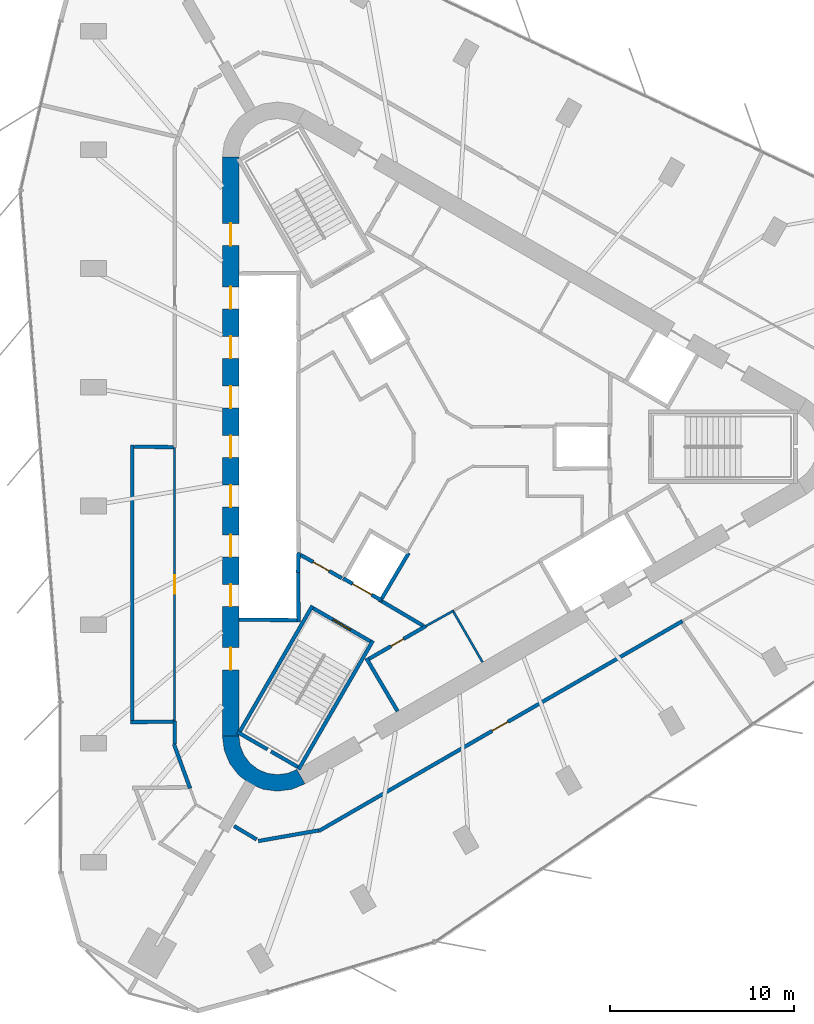
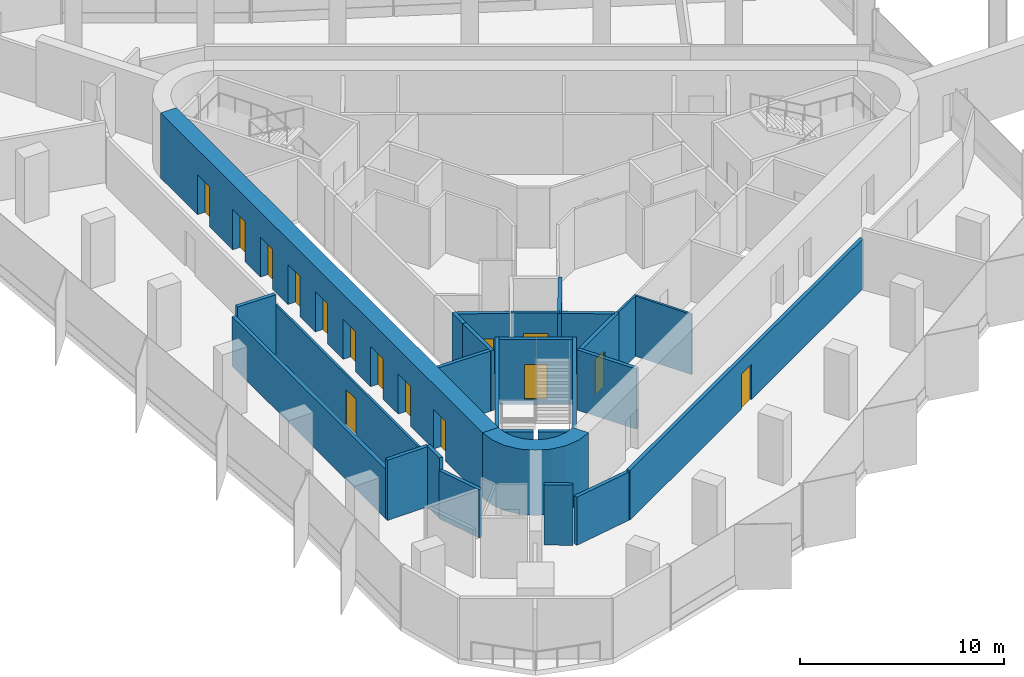
# One storey, part 7 of 12: 27 walls, 15 doors, 15 openings.
"""IFC4 building model written with IfcOpenShell, lengths in metres."""

from ifc_helpers import new_model, si_unit, direction, frame, frame_2d, origin, place, context, subcontext, project, spatial, polyline, rectangle, outline, extrude, material, layer, layer_set, type_object, element, fill, save


model = new_model("IFC4")

# Units and contexts
model_context = context("Model", 3, precision=1e-05, world=origin(), true_north=direction((0.0, 1.0)))
body_context = subcontext(model_context, "Body", "Model", "MODEL_VIEW")
ifc_project = project(units=[si_unit("LENGTHUNIT", "METRE"), si_unit("AREAUNIT", "SQUARE_METRE"), si_unit("VOLUMEUNIT", "CUBIC_METRE"), si_unit("PLANEANGLEUNIT", "RADIAN"), si_unit("MASSUNIT", "GRAM", prefix="KILO")], contexts=[model_context])

# Site, building, storey
site_placement = place(None, origin())
site = spatial("IfcSite", under=ifc_project, at=site_placement, CompositionType="ELEMENT")
building_placement = place(site_placement, origin())
building = spatial("IfcBuilding", under=site, at=building_placement, Name="Tanit Gate Tower", CompositionType="ELEMENT")
storey_placement = place(building_placement, frame((0.0, 0.0, 368.89990234375)))
storey = spatial("IfcBuildingStorey", under=building, at=storey_placement, Name="L84", CompositionType="ELEMENT", Elevation=368.89990234375)

# Wall, openings, doors
ifc_material_1 = material(Name="Concrete C40/50", Category="concrete")
ifc_layer_1 = layer(ifc_material_1, 0.89990234375)
ifc_layer_set_1 = layer_set([ifc_layer_1], Name="CORE WALL 900 C40/50")
wall_type_1 = type_object("IfcWallType", Name="CORE WALL 900 C40/50", PredefinedType="SHEAR", material=ifc_layer_set_1)
wall_1_placement = place(storey_placement, frame((-11.64990234375, 15.76171875, 0.0), z_axis=(0.0, 0.0, 1.0), x_axis=(0.0, -1.0, 0.0)))
wall_1 = element("IfcWall", 1, at=wall_1_placement, inside=storey, type_object=wall_type_1, Name="CORE WALL", PredefinedType="SHEAR", context=body_context, shape_type="SweptSolid", body=[
    extrude(rectangle(XDim=31.5234375, YDim=0.89990234375, at=frame_2d((15.76171875, 0.0))), origin(), (0.0, 0.0, 1.0), 3.900146484375),
])
opening_1_placement = place(wall_1_placement, frame((7.061767578125, 0.0, 0.0)))
opening_1 = element("IfcOpeningElement", 2, at=opening_1_placement, cuts=wall_1, Name="Opening LDHL1-84", PredefinedType="OPENING", context=body_context, shape_type="SweptSolid", body=[
    extrude(rectangle(XDim=1.199951171875, YDim=2.39990234375, at=frame_2d((0.60009765625, 1.199951171875))), frame((0.0, 0.4599609375, 0.0), z_axis=(0.0, -1.0, 0.0), x_axis=(1.0, 0.0, 0.0)), (0.0, 0.0, 1.0), 0.919921875),
])
opening_2_placement = place(wall_1_placement, frame((9.76171875, 0.0, 0.0)))
opening_2 = element("IfcOpeningElement", 3, at=opening_2_placement, cuts=wall_1, Name="Opening LDHL2-84", PredefinedType="OPENING", context=body_context, shape_type="SweptSolid", body=[
    extrude(rectangle(XDim=1.199951171875, YDim=2.39990234375, at=frame_2d((0.60009765625, 1.199951171875))), frame((0.0, 0.4599609375, 0.0), z_axis=(0.0, -1.0, 0.0), x_axis=(1.0, 0.0, 0.0)), (0.0, 0.0, 1.0), 0.919921875),
])
opening_3_placement = place(wall_1_placement, frame((12.461669921875, 0.0, 0.0)))
opening_3 = element("IfcOpeningElement", 4, at=opening_3_placement, cuts=wall_1, Name="Opening LDHL3-84", PredefinedType="OPENING", context=body_context, shape_type="SweptSolid", body=[
    extrude(rectangle(XDim=1.199951171875, YDim=2.39990234375, at=frame_2d((0.60009765625, 1.199951171875))), frame((0.0, 0.4599609375, 0.0), z_axis=(0.0, -1.0, 0.0), x_axis=(1.0, 0.0, 0.0)), (0.0, 0.0, 1.0), 0.919921875),
])
opening_4_placement = place(wall_1_placement, frame((15.16162109375, 0.0, 0.0)))
opening_4 = element("IfcOpeningElement", 5, at=opening_4_placement, cuts=wall_1, Name="Opening LDHL4-84", PredefinedType="OPENING", context=body_context, shape_type="SweptSolid", body=[
    extrude(rectangle(XDim=1.199951171875, YDim=2.39990234375, at=frame_2d((0.60009765625, 1.199951171875))), frame((0.0, 0.4599609375, 0.0), z_axis=(0.0, -1.0, 0.0), x_axis=(1.0, 0.0, 0.0)), (0.0, 0.0, 1.0), 0.919921875),
])
opening_5_placement = place(wall_1_placement, frame((17.86181640625, 0.0, 0.0)))
opening_5 = element("IfcOpeningElement", 6, at=opening_5_placement, cuts=wall_1, Name="Opening LDHL5-84", PredefinedType="OPENING", context=body_context, shape_type="SweptSolid", body=[
    extrude(rectangle(XDim=1.199951171875, YDim=2.39990234375, at=frame_2d((0.60009765625, 1.199951171875))), frame((0.0, 0.4599609375, 0.0), z_axis=(0.0, -1.0, 0.0), x_axis=(1.0, 0.0, 0.0)), (0.0, 0.0, 1.0), 0.919921875),
])
opening_6_placement = place(wall_1_placement, frame((20.561767578125, 0.0, 0.0)))
opening_6 = element("IfcOpeningElement", 7, at=opening_6_placement, cuts=wall_1, Name="Opening LDHL6-84", PredefinedType="OPENING", context=body_context, shape_type="SweptSolid", body=[
    extrude(rectangle(XDim=1.199951171875, YDim=2.39990234375, at=frame_2d((0.60009765625, 1.199951171875))), frame((0.0, 0.4599609375, 0.0), z_axis=(0.0, -1.0, 0.0), x_axis=(1.0, 0.0, 0.0)), (0.0, 0.0, 1.0), 0.919921875),
])
opening_7_placement = place(wall_1_placement, frame((23.26171875, 0.0, 0.0)))
opening_7 = element("IfcOpeningElement", 8, at=opening_7_placement, cuts=wall_1, Name="Opening LDHL7-84", PredefinedType="OPENING", context=body_context, shape_type="SweptSolid", body=[
    extrude(rectangle(XDim=1.199951171875, YDim=2.39990234375, at=frame_2d((0.60009765625, 1.199951171875))), frame((0.0, 0.4599609375, 0.0), z_axis=(0.0, -1.0, 0.0), x_axis=(1.0, 0.0, 0.0)), (0.0, 0.0, 1.0), 0.919921875),
])
opening_8_placement = place(wall_1_placement, frame((3.61181640625, 0.0, 0.0)))
opening_8 = element("IfcOpeningElement", 9, at=opening_8_placement, cuts=wall_1, Name="Opening F12-84-FL2", PredefinedType="OPENING", context=body_context, shape_type="SweptSolid", body=[
    extrude(rectangle(XDim=1.199951171875, YDim=2.39990234375, at=frame_2d((0.60009765625, 1.199951171875))), frame((0.0, 0.4599609375, 0.0), z_axis=(0.0, -1.0, 0.0), x_axis=(1.0, 0.0, 0.0)), (0.0, 0.0, 1.0), 0.919921875),
])
opening_9_placement = place(wall_1_placement, frame((26.711669921875, 0.0, 0.0)))
opening_9 = element("IfcOpeningElement", 10, at=opening_9_placement, cuts=wall_1, Name="Opening F12-84-S3", PredefinedType="OPENING", context=body_context, shape_type="SweptSolid", body=[
    extrude(rectangle(XDim=1.199951171875, YDim=2.39990234375, at=frame_2d((0.60009765625, 1.199951171875))), frame((0.0, 0.4599609375, 0.0), z_axis=(0.0, -1.0, 0.0), x_axis=(1.0, 0.0, 0.0)), (0.0, 0.0, 1.0), 0.919921875),
])
ifc_material_2 = material(Name="Fire-rated steel door leaf", Category="steel")
door_type_1 = type_object("IfcDoorType", Name="INT-DOOR-FIRE-LOBBY-1200", OperationType="NOTDEFINED", PredefinedType="USERDEFINED", material=ifc_material_2)
door_1_placement = place(opening_8_placement, origin())
door_1 = element("IfcDoor", 11, at=door_1_placement, inside=storey, type_object=door_type_1, Name="Door F12-84-FL2", ObjectType="FIRE DOOR", OperationType="SINGLE_SWING_RIGHT", OverallHeight=2.39990234375, OverallWidth=1.199951171875, PredefinedType="USERDEFINED", context=body_context, shape_type="SweptSolid", body=[
    extrude(rectangle(XDim=1.199951171875, YDim=2.39990234375, at=frame_2d((0.60009765625, 1.199951171875))), frame((0.0, 0.02490234375, 0.0), z_axis=(0.0, -1.0, 0.0), x_axis=(1.0, 0.0, 0.0)), (0.0, 0.0, 1.0), 0.050048828125),
])
fill(opening_8, door_1)
door_2_placement = place(opening_9_placement, origin())
door_2 = element("IfcDoor", 12, at=door_2_placement, inside=storey, type_object=door_type_1, Name="Door F12-84-S3", ObjectType="FIRE DOOR", OperationType="SINGLE_SWING_LEFT", OverallHeight=2.39990234375, OverallWidth=1.199951171875, PredefinedType="USERDEFINED", context=body_context, shape_type="SweptSolid", body=[
    extrude(rectangle(XDim=1.199951171875, YDim=2.39990234375, at=frame_2d((0.60009765625, 1.199951171875))), frame((0.0, 0.02490234375, 0.0), z_axis=(0.0, -1.0, 0.0), x_axis=(1.0, 0.0, 0.0)), (0.0, 0.0, 1.0), 0.050048828125),
])
fill(opening_9, door_2)
ifc_material_3 = material(Name="Stainless steel sliding door leaf", Category="steel")
door_type_2 = type_object("IfcDoorType", Name="INT-DOOR-LANDING-1200", OperationType="NOTDEFINED", PredefinedType="USERDEFINED", material=ifc_material_3)
door_3_placement = place(opening_1_placement, origin())
door_3 = element("IfcDoor", 13, at=door_3_placement, inside=storey, type_object=door_type_2, Name="Door LDHL1-84", ObjectType="LANDING DOOR", OperationType="SLIDING_TO_LEFT", OverallHeight=2.39990234375, OverallWidth=1.199951171875, PredefinedType="USERDEFINED", context=body_context, shape_type="SweptSolid", body=[
    extrude(rectangle(XDim=1.199951171875, YDim=2.39990234375, at=frame_2d((0.60009765625, 1.199951171875))), frame((0.0, 0.02490234375, 0.0), z_axis=(0.0, -1.0, 0.0), x_axis=(1.0, 0.0, 0.0)), (0.0, 0.0, 1.0), 0.050048828125),
])
fill(opening_1, door_3)
door_4_placement = place(opening_2_placement, origin())
door_4 = element("IfcDoor", 14, at=door_4_placement, inside=storey, type_object=door_type_2, Name="Door LDHL2-84", ObjectType="LANDING DOOR", OperationType="SLIDING_TO_LEFT", OverallHeight=2.39990234375, OverallWidth=1.199951171875, PredefinedType="USERDEFINED", context=body_context, shape_type="SweptSolid", body=[
    extrude(rectangle(XDim=1.199951171875, YDim=2.39990234375, at=frame_2d((0.60009765625, 1.199951171875))), frame((0.0, 0.02490234375, 0.0), z_axis=(0.0, -1.0, 0.0), x_axis=(1.0, 0.0, 0.0)), (0.0, 0.0, 1.0), 0.050048828125),
])
fill(opening_2, door_4)
door_5_placement = place(opening_3_placement, origin())
door_5 = element("IfcDoor", 15, at=door_5_placement, inside=storey, type_object=door_type_2, Name="Door LDHL3-84", ObjectType="LANDING DOOR", OperationType="SLIDING_TO_LEFT", OverallHeight=2.39990234375, OverallWidth=1.199951171875, PredefinedType="USERDEFINED", context=body_context, shape_type="SweptSolid", body=[
    extrude(rectangle(XDim=1.199951171875, YDim=2.39990234375, at=frame_2d((0.60009765625, 1.199951171875))), frame((0.0, 0.02490234375, 0.0), z_axis=(0.0, -1.0, 0.0), x_axis=(1.0, 0.0, 0.0)), (0.0, 0.0, 1.0), 0.050048828125),
])
fill(opening_3, door_5)
door_6_placement = place(opening_4_placement, origin())
door_6 = element("IfcDoor", 16, at=door_6_placement, inside=storey, type_object=door_type_2, Name="Door LDHL4-84", ObjectType="LANDING DOOR", OperationType="SLIDING_TO_LEFT", OverallHeight=2.39990234375, OverallWidth=1.199951171875, PredefinedType="USERDEFINED", context=body_context, shape_type="SweptSolid", body=[
    extrude(rectangle(XDim=1.199951171875, YDim=2.39990234375, at=frame_2d((0.60009765625, 1.199951171875))), frame((0.0, 0.02490234375, 0.0), z_axis=(0.0, -1.0, 0.0), x_axis=(1.0, 0.0, 0.0)), (0.0, 0.0, 1.0), 0.050048828125),
])
fill(opening_4, door_6)
door_7_placement = place(opening_5_placement, origin())
door_7 = element("IfcDoor", 17, at=door_7_placement, inside=storey, type_object=door_type_2, Name="Door LDHL5-84", ObjectType="LANDING DOOR", OperationType="SLIDING_TO_LEFT", OverallHeight=2.39990234375, OverallWidth=1.199951171875, PredefinedType="USERDEFINED", context=body_context, shape_type="SweptSolid", body=[
    extrude(rectangle(XDim=1.199951171875, YDim=2.39990234375, at=frame_2d((0.60009765625, 1.199951171875))), frame((0.0, 0.02490234375, 0.0), z_axis=(0.0, -1.0, 0.0), x_axis=(1.0, 0.0, 0.0)), (0.0, 0.0, 1.0), 0.050048828125),
])
fill(opening_5, door_7)
door_8_placement = place(opening_6_placement, origin())
door_8 = element("IfcDoor", 18, at=door_8_placement, inside=storey, type_object=door_type_2, Name="Door LDHL6-84", ObjectType="LANDING DOOR", OperationType="SLIDING_TO_LEFT", OverallHeight=2.39990234375, OverallWidth=1.199951171875, PredefinedType="USERDEFINED", context=body_context, shape_type="SweptSolid", body=[
    extrude(rectangle(XDim=1.199951171875, YDim=2.39990234375, at=frame_2d((0.60009765625, 1.199951171875))), frame((0.0, 0.02490234375, 0.0), z_axis=(0.0, -1.0, 0.0), x_axis=(1.0, 0.0, 0.0)), (0.0, 0.0, 1.0), 0.050048828125),
])
fill(opening_6, door_8)
door_9_placement = place(opening_7_placement, origin())
door_9 = element("IfcDoor", 19, at=door_9_placement, inside=storey, type_object=door_type_2, Name="Door LDHL7-84", ObjectType="LANDING DOOR", OperationType="SLIDING_TO_LEFT", OverallHeight=2.39990234375, OverallWidth=1.199951171875, PredefinedType="USERDEFINED", context=body_context, shape_type="SweptSolid", body=[
    extrude(rectangle(XDim=1.199951171875, YDim=2.39990234375, at=frame_2d((0.60009765625, 1.199951171875))), frame((0.0, 0.02490234375, 0.0), z_axis=(0.0, -1.0, 0.0), x_axis=(1.0, 0.0, 0.0)), (0.0, 0.0, 1.0), 0.050048828125),
])
fill(opening_7, door_9)

# Walls
wall_2_placement = place(storey_placement, origin())
element("IfcWall", 20, at=wall_2_placement, inside=storey, type_object=wall_type_1, Name="CORE WALL CORNER", PredefinedType="SHEAR", context=body_context, shape_type="SweptSolid", body=[
    extrude(outline(polyline([(-12.10009765625, -15.76171875), (-11.997802734375, -16.5380859375), (-11.697998046875, -17.26171875), (-11.22119140625, -17.883056640625), (-10.60009765625, -18.359619140625), (-9.87646484375, -18.659423828125), (-9.10009765625, -18.76171875), (-8.323486328125, -18.659423828125), (-7.60009765625, -18.359619140625), (-8.050048828125, -17.580322265625), (-8.556396484375, -17.7900390625), (-9.10009765625, -17.86181640625), (-9.6435546875, -17.7900390625), (-10.14990234375, -17.580322265625), (-10.5849609375, -17.24658203125), (-10.918701171875, -16.811767578125), (-11.12841796875, -16.30517578125), (-11.199951171875, -15.76171875), (-12.10009765625, -15.76171875)])), origin(), (0.0, 0.0, 1.0), 3.900146484375),
])
ifc_material_4 = material(Name="Fire-rated gypsum board partition")
ifc_layer_2 = layer(ifc_material_4, 0.199951171875)
ifc_layer_set_2 = layer_set([ifc_layer_2], Name="INT-WALL-COMPARTMENT")
wall_type_2 = type_object("IfcWallType", Name="INT-WALL-COMPARTMENT", PredefinedType="PARTITIONING", material=ifc_layer_set_2)
wall_3_placement = place(storey_placement, frame((-4.259765625, -11.523681640625, 0.0), z_axis=(0.0, 0.0, 1.0), x_axis=(0.507997497166, -0.861358544901, 0.0)))
element("IfcWall", 21, at=wall_3_placement, inside=storey, type_object=wall_type_2, Name="Wall Compartment W056", PredefinedType="PARTITIONING", context=body_context, shape_type="SweptSolid", body=[
    extrude(rectangle(XDim=3.350341796875, YDim=0.199951171875, at=frame_2d((1.67529296875, 0.0))), origin(), (0.0, 0.0, 1.0), 3.60009765625),
])

# Wall, opening, door
wall_4_placement = place(storey_placement, frame((-1.02392578125, -9.77099609375, 0.0), z_axis=(0.0, 0.0, 1.0), x_axis=(-0.866029903013, -0.499992207027, 0.0)))
wall_4 = element("IfcWall", 22, at=wall_4_placement, inside=storey, type_object=wall_type_2, Name="Wall Compartment W057", PredefinedType="PARTITIONING", context=body_context, shape_type="SweptSolid", body=[
    extrude(rectangle(XDim=3.57763671875, YDim=0.199951171875, at=frame_2d((1.788818359375, 0.0))), origin(), (0.0, 0.0, 1.0), 3.60009765625),
])
opening_10_placement = place(wall_4_placement, frame((1.388916015625, 0.0, 0.0)))
opening_10 = element("IfcOpeningElement", 23, at=opening_10_placement, cuts=wall_4, Name="Opening R08-84-16", PredefinedType="OPENING", context=body_context, shape_type="SweptSolid", body=[
    extrude(rectangle(XDim=0.800048828125, YDim=2.10009765625, at=frame_2d((0.39990234375, 1.050048828125))), frame((0.0, 0.10986328125, 0.0), z_axis=(0.0, -1.0, 0.0), x_axis=(1.0, 0.0, 0.0)), (0.0, 0.0, 1.0), 0.219970703125),
])
ifc_material_5 = material(Name="Timber door leaf", Category="wood")
door_type_3 = type_object("IfcDoorType", Name="INT-DOOR-RISER-800", OperationType="NOTDEFINED", PredefinedType="USERDEFINED", material=ifc_material_5)
door_10_placement = place(opening_10_placement, origin())
door_10 = element("IfcDoor", 24, at=door_10_placement, inside=storey, type_object=door_type_3, Name="Door R08-84-16", ObjectType="FIRE DOOR", OperationType="SINGLE_SWING_LEFT", OverallHeight=2.10009765625, OverallWidth=0.800048828125, PredefinedType="USERDEFINED", context=body_context, shape_type="SweptSolid", body=[
    extrude(rectangle(XDim=0.800048828125, YDim=2.10009765625, at=frame_2d((0.39990234375, 1.050048828125))), frame((0.0, 0.02490234375, 0.0), z_axis=(0.0, -1.0, 0.0), x_axis=(1.0, 0.0, 0.0)), (0.0, 0.0, 1.0), 0.050048828125),
])
fill(opening_10, door_10)

# Wall
wall_5_placement = place(storey_placement, frame((-3.400634765625, -8.43017578125, 0.0), z_axis=(0.0, 0.0, 1.0), x_axis=(0.860630814782, -0.509229418482, 0.0)))
element("IfcWall", 25, at=wall_5_placement, inside=storey, type_object=wall_type_2, Name="Wall Compartment W066", PredefinedType="PARTITIONING", context=body_context, shape_type="SweptSolid", body=[
    extrude(rectangle(XDim=2.581787109375, YDim=0.199951171875, at=frame_2d((1.291015625, 0.0))), origin(), (0.0, 0.0, 1.0), 3.60009765625),
])

# Wall, opening, door
wall_6_placement = place(storey_placement, frame((-7.849365234375, -5.893798828125, 0.0), z_axis=(0.0, 0.0, 1.0), x_axis=(0.871363259478, -0.490638431059, 0.0)))
wall_6 = element("IfcWall", 26, at=wall_6_placement, inside=storey, type_object=wall_type_2, Name="Wall Compartment W067", PredefinedType="PARTITIONING", context=body_context, shape_type="SweptSolid", body=[
    extrude(rectangle(XDim=2.5810546875, YDim=0.199951171875, at=frame_2d((1.29052734375, 0.0))), origin(), (0.0, 0.0, 1.0), 3.60009765625),
])
opening_11_placement = place(wall_6_placement, frame((0.79052734375, 0.0, 0.0)))
opening_11 = element("IfcOpeningElement", 27, at=opening_11_placement, cuts=wall_6, Name="Opening F10-84-08", PredefinedType="OPENING", context=body_context, shape_type="SweptSolid", body=[
    extrude(rectangle(XDim=1.0, YDim=2.10009765625, at=frame_2d((0.5, 1.050048828125))), frame((0.0, 0.10986328125, 0.0), z_axis=(0.0, -1.0, 0.0), x_axis=(1.0, 0.0, 0.0)), (0.0, 0.0, 1.0), 0.219970703125),
])
ifc_material_6 = material(Name="Fire-rated steel door leaf", Category="steel")
door_type_4 = type_object("IfcDoorType", Name="INT-DOOR-FIRE-1000", OperationType="NOTDEFINED", PredefinedType="USERDEFINED", material=ifc_material_6)
door_11_placement = place(opening_11_placement, origin())
door_11 = element("IfcDoor", 28, at=door_11_placement, inside=storey, type_object=door_type_4, Name="Door F10-84-08", ObjectType="FIRE DOOR", OperationType="SINGLE_SWING_RIGHT", OverallHeight=2.10009765625, OverallWidth=1.0, PredefinedType="USERDEFINED", context=body_context, shape_type="SweptSolid", body=[
    extrude(rectangle(XDim=1.0, YDim=2.10009765625, at=frame_2d((0.5, 1.050048828125))), frame((0.0, 0.02490234375, 0.0), z_axis=(0.0, -1.0, 0.0), x_axis=(1.0, 0.0, 0.0)), (0.0, 0.0, 1.0), 0.050048828125),
])
fill(opening_11, door_11)

# Walls
wall_7_placement = place(storey_placement, frame((-14.734130859375, -16.20556640625, 0.0), z_axis=(0.0, 0.0, 1.0), x_axis=(0.341973016737, -0.939709772123, 0.0)))
element("IfcWall", 29, at=wall_7_placement, inside=storey, type_object=wall_type_2, Name="Wall Compartment W089", PredefinedType="PARTITIONING", context=body_context, shape_type="SweptSolid", body=[
    extrude(rectangle(XDim=2.557373046875, YDim=0.199951171875, at=frame_2d((1.27880859375, 0.0))), origin(), (0.0, 0.0, 1.0), 2.880126953125),
])
wall_8_placement = place(storey_placement, frame((-14.699951171875, -14.949951171875, 0.0), z_axis=(0.0, 0.0, 1.0), x_axis=(0.0, -1.0, 0.0)))
element("IfcWall", 30, at=wall_8_placement, inside=storey, type_object=wall_type_2, Name="Wall Compartment W090", PredefinedType="PARTITIONING", context=body_context, shape_type="SweptSolid", body=[
    extrude(rectangle(XDim=1.24951171875, YDim=0.199951171875, at=frame_2d((0.624755859375, 0.0))), origin(), (0.0, 0.0, 1.0), 3.60009765625),
])
wall_9_placement = place(storey_placement, frame((-17.10009765625, -15.001220703125, 0.0), z_axis=(0.0, 0.0, 1.0), x_axis=(0.999914974263, 0.013040101386, 0.0)))
element("IfcWall", 31, at=wall_9_placement, inside=storey, type_object=wall_type_2, Name="Wall Compartment W095", PredefinedType="PARTITIONING", context=body_context, shape_type="SweptSolid", body=[
    extrude(rectangle(XDim=2.34033203125, YDim=0.199951171875, at=frame_2d((1.170166015625, 0.0))), origin(), (0.0, 0.0, 1.0), 3.60009765625),
])
wall_10_placement = place(storey_placement, frame((-17.0, 0.10009765625, 0.0), z_axis=(0.0, 0.0, 1.0), x_axis=(0.0, -1.0, 0.0)))
element("IfcWall", 32, at=wall_10_placement, inside=storey, type_object=wall_type_2, Name="Wall Compartment W096", PredefinedType="PARTITIONING", context=body_context, shape_type="SweptSolid", body=[
    extrude(rectangle(XDim=15.0, YDim=0.199951171875, at=frame_2d((7.5, 0.0))), origin(), (0.0, 0.0, 1.0), 2.97021484375),
])
wall_11_placement = place(storey_placement, frame((-14.760009765625, -0.029296875, 0.0), z_axis=(0.0, 0.0, 1.0), x_axis=(-0.999913939121, 0.013119235938, 0.0)))
element("IfcWall", 33, at=wall_11_placement, inside=storey, type_object=wall_type_2, Name="Wall Compartment W097", PredefinedType="PARTITIONING", context=body_context, shape_type="SweptSolid", body=[
    extrude(rectangle(XDim=2.14013671875, YDim=0.199951171875, at=frame_2d((1.070068359375, 0.0))), origin(), (0.0, 0.0, 1.0), 3.60009765625),
])

# Wall, opening, door
wall_12_placement = place(storey_placement, frame((-6.852294921875, -20.930419921875, 0.0), z_axis=(0.0, 0.0, 1.0), x_axis=(0.866025322732, 0.500000140387, 0.0)))
wall_12 = element("IfcWall", 34, at=wall_12_placement, inside=storey, type_object=wall_type_2, Name="Wall Compartment W113", PredefinedType="PARTITIONING", context=body_context, shape_type="SweptSolid", body=[
    extrude(rectangle(XDim=22.85693359375, YDim=0.199951171875, at=frame_2d((11.428466796875, 0.0))), origin(), (0.0, 0.0, 1.0), 2.97021484375),
])
opening_12_placement = place(wall_12_placement, frame((10.89990234375, 0.0, 0.0)))
opening_12 = element("IfcOpeningElement", 35, at=opening_12_placement, cuts=wall_12, Name="Opening F10-84-24", PredefinedType="OPENING", context=body_context, shape_type="SweptSolid", body=[
    extrude(rectangle(XDim=1.0, YDim=2.10009765625, at=frame_2d((0.5, 1.050048828125))), frame((0.0, 0.10986328125, 0.0), z_axis=(0.0, -1.0, 0.0), x_axis=(1.0, 0.0, 0.0)), (0.0, 0.0, 1.0), 0.219970703125),
])
door_12_placement = place(opening_12_placement, origin())
door_12 = element("IfcDoor", 36, at=door_12_placement, inside=storey, type_object=door_type_4, Name="Door F10-84-24", ObjectType="FIRE DOOR", OperationType="SINGLE_SWING_LEFT", OverallHeight=2.10009765625, OverallWidth=1.0, PredefinedType="USERDEFINED", context=body_context, shape_type="SweptSolid", body=[
    extrude(rectangle(XDim=1.0, YDim=2.10009765625, at=frame_2d((0.5, 1.050048828125))), frame((0.0, 0.02490234375, 0.0), z_axis=(0.0, -1.0, 0.0), x_axis=(1.0, 0.0, 0.0)), (0.0, 0.0, 1.0), 0.050048828125),
])
fill(opening_12, door_12)

# Walls
wall_13_placement = place(storey_placement, frame((-10.14306640625, -21.475830078125, 0.0), z_axis=(0.0, 0.0, 1.0), x_axis=(0.98480864774, 0.173643103339, 0.0)))
element("IfcWall", 37, at=wall_13_placement, inside=storey, type_object=wall_type_2, Name="Wall Compartment W114", PredefinedType="PARTITIONING", context=body_context, shape_type="SweptSolid", body=[
    extrude(rectangle(XDim=3.329345703125, YDim=0.199951171875, at=frame_2d((1.66455078125, 0.0))), origin(), (0.0, 0.0, 1.0), 2.880126953125),
])
wall_14_placement = place(storey_placement, frame((-11.46484375, -20.657470703125, 0.0), z_axis=(0.0, 0.0, 1.0), x_axis=(0.858410648224, -0.512963116623, 0.0)))
element("IfcWall", 38, at=wall_14_placement, inside=storey, type_object=wall_type_2, Name="Wall Compartment W115", PredefinedType="PARTITIONING", context=body_context, shape_type="SweptSolid", body=[
    extrude(rectangle(XDim=1.4296875, YDim=0.199951171875, at=frame_2d((0.71484375, 0.0))), origin(), (0.0, 0.0, 1.0), 3.60009765625),
])
ifc_material_7 = material(Name="Gypsum board partition")
ifc_layer_3 = layer(ifc_material_7, 0.1201171875)
ifc_layer_set_3 = layer_set([ifc_layer_3], Name="INT-WALL-PARTITION")
wall_type_3 = type_object("IfcWallType", Name="INT-WALL-PARTITION", PredefinedType="PARTITIONING", material=ifc_layer_set_3)
wall_15_placement = place(storey_placement, frame((2.066650390625, -11.739501953125, 0.0), z_axis=(0.0, 0.0, 1.0), x_axis=(-0.499984717929, 0.866034226713, 0.0)))
element("IfcWall", 39, at=wall_15_placement, inside=storey, type_object=wall_type_3, Name="Wall Partition W055", PredefinedType="PARTITIONING", context=body_context, shape_type="SweptSolid", body=[
    extrude(rectangle(XDim=3.25, YDim=0.1201171875, at=frame_2d((1.625, 0.0))), origin(), (0.0, 0.0, 1.0), 3.60009765625),
])
wall_16_placement = place(storey_placement, frame((-1.0234375, -9.77197265625, 0.0), z_axis=(0.0, 0.0, 1.0), x_axis=(0.874290944206, 0.485402250592, 0.0)))
element("IfcWall", 40, at=wall_16_placement, inside=storey, type_object=wall_type_3, Name="Wall Partition W058", PredefinedType="PARTITIONING", context=body_context, shape_type="SweptSolid", body=[
    extrude(rectangle(XDim=1.72265625, YDim=0.1201171875, at=frame_2d((0.861328125, 0.0))), origin(), (0.0, 0.0, 1.0), 3.60009765625),
])

# Wall, opening, door
wall_17_placement = place(storey_placement, frame((-14.699951171875, -0.050048828125, 0.0), z_axis=(0.0, 0.0, 1.0), x_axis=(0.0, -1.0, 0.0)))
wall_17 = element("IfcWall", 41, at=wall_17_placement, inside=storey, type_object=wall_type_3, Name="Wall Partition W086", PredefinedType="PARTITIONING", context=body_context, shape_type="SweptSolid", body=[
    extrude(rectangle(XDim=14.89990234375, YDim=0.1201171875, at=frame_2d((7.449951171875, 0.0))), origin(), (0.0, 0.0, 1.0), 2.97021484375),
])
opening_13_placement = place(wall_17_placement, frame((6.949951171875, 0.0, 0.0)))
opening_13 = element("IfcOpeningElement", 42, at=opening_13_placement, cuts=wall_17, Name="Opening D10-84-26", PredefinedType="OPENING", context=body_context, shape_type="SweptSolid", body=[
    extrude(rectangle(XDim=1.0, YDim=2.10009765625, at=frame_2d((0.5, 1.050048828125))), frame((0.0, 0.070068359375, 0.0), z_axis=(0.0, -1.0, 0.0), x_axis=(1.0, 0.0, 0.0)), (0.0, 0.0, 1.0), 0.14013671875),
])
ifc_material_8 = material(Name="Timber door leaf", Category="wood")
door_type_5 = type_object("IfcDoorType", Name="INT-DOOR-SINGLE-1000", OperationType="NOTDEFINED", PredefinedType="NOTDEFINED", material=ifc_material_8)
door_13_placement = place(opening_13_placement, origin())
door_13 = element("IfcDoor", 43, at=door_13_placement, inside=storey, type_object=door_type_5, Name="Door D10-84-26", OperationType="SINGLE_SWING_LEFT", OverallHeight=2.10009765625, OverallWidth=1.0, PredefinedType="NOTDEFINED", context=body_context, shape_type="SweptSolid", body=[
    extrude(rectangle(XDim=1.0, YDim=2.10009765625, at=frame_2d((0.5, 1.050048828125))), frame((0.0, 0.02490234375, 0.0), z_axis=(0.0, -1.0, 0.0), x_axis=(1.0, 0.0, 0.0)), (0.0, 0.0, 1.0), 0.050048828125),
])
fill(opening_13, door_13)

# Walls
ifc_material_9 = material(Name="Gypsum shaft wall system")
ifc_layer_4 = layer(ifc_material_9, 0.199951171875)
ifc_layer_set_4 = layer_set([ifc_layer_4], Name="INT-WALL-SHAFT")
wall_type_4 = type_object("IfcWallType", Name="INT-WALL-SHAFT", PredefinedType="PLUMBINGWALL", material=ifc_layer_set_4)
wall_18_placement = place(storey_placement, frame((-7.949951171875, -5.7724609375, 0.0), z_axis=(0.0, 0.0, 1.0), x_axis=(-0.030803413295, -0.999525462272, 0.0)))
element("IfcWall", 44, at=wall_18_placement, inside=storey, type_object=wall_type_4, Name="Wall Shaft W008", PredefinedType="PLUMBINGWALL", context=body_context, shape_type="SweptSolid", body=[
    extrude(rectangle(XDim=1.077880859375, YDim=0.199951171875, at=frame_2d((0.5390625, 0.0))), origin(), (0.0, 0.0, 1.0), 3.60009765625),
])
wall_19_placement = place(storey_placement, frame((-7.97900390625, -6.85009765625, 0.0), z_axis=(0.0, 0.0, 1.0), x_axis=(0.011121475088, -0.999938154483, 0.0)))
element("IfcWall", 45, at=wall_19_placement, inside=storey, type_object=wall_type_4, Name="Wall Shaft W010", PredefinedType="PLUMBINGWALL", context=body_context, shape_type="SweptSolid", body=[
    extrude(rectangle(XDim=2.7001953125, YDim=0.199951171875, at=frame_2d((1.35009765625, 0.0))), origin(), (0.0, 0.0, 1.0), 3.60009765625),
])
wall_20_placement = place(storey_placement, frame((-8.050048828125, -9.448974609375, 0.0), z_axis=(0.0, 0.0, 1.0), x_axis=(-0.999957467379, 0.009222983926, 0.0)))
element("IfcWall", 46, at=wall_20_placement, inside=storey, type_object=wall_type_4, Name="Wall Shaft W011", PredefinedType="PLUMBINGWALL", context=body_context, shape_type="SweptSolid", body=[
    extrude(rectangle(XDim=3.150146484375, YDim=0.199951171875, at=frame_2d((1.5751953125, 0.0))), origin(), (0.0, 0.0, 1.0), 3.60009765625),
])

# Wall, opening, door
wall_21_placement = place(storey_placement, frame((-3.44580078125, -8.3681640625, 0.0), z_axis=(0.0, 0.0, 1.0), x_axis=(-0.866024647952, 0.500001309137, 0.0)))
wall_21 = element("IfcWall", 47, at=wall_21_placement, inside=storey, type_object=wall_type_4, Name="Wall Shaft W043", PredefinedType="PLUMBINGWALL", context=body_context, shape_type="SweptSolid", body=[
    extrude(rectangle(XDim=2.39990234375, YDim=0.199951171875, at=frame_2d((1.199951171875, 0.0))), origin(), (0.0, 0.0, 1.0), 3.60009765625),
])
opening_14_placement = place(wall_21_placement, frame((0.60009765625, 0.0, 0.0)))
opening_14 = element("IfcOpeningElement", 48, at=opening_14_placement, cuts=wall_21, Name="Opening LDFL3-L84", PredefinedType="OPENING", context=body_context, shape_type="SweptSolid", body=[
    extrude(rectangle(XDim=1.199951171875, YDim=2.39990234375, at=frame_2d((0.60009765625, 1.199951171875))), frame((0.0, 0.10986328125, 0.0), z_axis=(0.0, -1.0, 0.0), x_axis=(1.0, 0.0, 0.0)), (0.0, 0.0, 1.0), 0.219970703125),
])
door_14_placement = place(opening_14_placement, origin())
door_14 = element("IfcDoor", 49, at=door_14_placement, inside=storey, type_object=door_type_2, Name="Door LDFL3-L84", ObjectType="LANDING DOOR", OperationType="SLIDING_TO_LEFT", OverallHeight=2.39990234375, OverallWidth=1.199951171875, PredefinedType="USERDEFINED", context=body_context, shape_type="SweptSolid", body=[
    extrude(rectangle(XDim=1.199951171875, YDim=2.39990234375, at=frame_2d((0.60009765625, 1.199951171875))), frame((0.0, 0.02490234375, 0.0), z_axis=(0.0, -1.0, 0.0), x_axis=(1.0, 0.0, 0.0)), (0.0, 0.0, 1.0), 0.050048828125),
])
fill(opening_14, door_14)

# Walls
wall_22_placement = place(storey_placement, frame((-1.960693359375, -5.796142578125, 0.0), z_axis=(0.0, 0.0, 1.0), x_axis=(-0.508647062354, -0.860975125052, 0.0)))
element("IfcWall", 50, at=wall_22_placement, inside=storey, type_object=wall_type_4, Name="Wall Shaft W044", PredefinedType="PLUMBINGWALL", context=body_context, shape_type="SweptSolid", body=[
    extrude(rectangle(XDim=3.10009765625, YDim=0.199951171875, at=frame_2d((1.550048828125, 0.0))), origin(), (0.0, 0.0, 1.0), 3.60009765625),
])
ifc_material_10 = material(Name="Concrete C40/50", Category="concrete")
ifc_layer_5 = layer(ifc_material_10, 0.199951171875)
ifc_layer_set_5 = layer_set([ifc_layer_5], Name="INT-WALL-STAIR")
wall_type_5 = type_object("IfcWallType", Name="INT-WALL-STAIR", PredefinedType="SHEAR", material=ifc_layer_set_5)
wall_23_placement = place(storey_placement, frame((-3.904541015625, -10.56298828125, -0.2998046875), z_axis=(0.0, 0.0, 1.0), x_axis=(-0.500012932018, -0.866017937352, 0.0)))
element("IfcWall", 51, at=wall_23_placement, inside=storey, type_object=wall_type_5, Name="Wall Stair W038", PredefinedType="SHEAR", context=body_context, shape_type="SweptSolid", body=[
    extrude(rectangle(XDim=8.099853515625, YDim=0.199951171875, at=frame_2d((4.0498046875, 0.0))), origin(), (0.0, 0.0, 1.0), 3.89990234375),
])
wall_24_placement = place(storey_placement, frame((-11.281982421875, -15.541015625, -0.2998046875), z_axis=(0.0, 0.0, 1.0), x_axis=(0.866000578957, -0.500042995397, 0.0)))
element("IfcWall", 52, at=wall_24_placement, inside=storey, type_object=wall_type_5, Name="Wall Stair W040", PredefinedType="SHEAR", context=body_context, shape_type="SweptSolid", body=[
    extrude(rectangle(XDim=1.889892578125, YDim=0.199951171875, at=frame_2d((0.94482421875, 0.0))), origin(), (0.0, 0.0, 1.0), 3.89990234375),
])
wall_25_placement = place(storey_placement, frame((-9.454833984375, -16.59619140625, -0.2998046875), z_axis=(0.0, 0.0, 1.0), x_axis=(0.866038843867, -0.499976720371, 0.0)))
element("IfcWall", 53, at=wall_25_placement, inside=storey, type_object=wall_type_5, Name="Wall Stair W039", PredefinedType="SHEAR", context=body_context, shape_type="SweptSolid", body=[
    extrude(rectangle(XDim=1.68994140625, YDim=0.199951171875, at=frame_2d((0.844970703125, 0.0))), origin(), (0.0, 0.0, 1.0), 3.89990234375),
])
wall_26_placement = place(storey_placement, frame((-7.195556640625, -8.662841796875, -0.2998046875), z_axis=(0.0, 0.0, 1.0), x_axis=(-0.499997992926, -0.866026562566, 0.0)))
element("IfcWall", 54, at=wall_26_placement, inside=storey, type_object=wall_type_5, Name="Wall Stair W041", PredefinedType="SHEAR", context=body_context, shape_type="SweptSolid", body=[
    extrude(rectangle(XDim=7.89990234375, YDim=0.199951171875, at=frame_2d((3.949951171875, 0.0))), origin(), (0.0, 0.0, 1.0), 3.89990234375),
])

# Wall, opening, door
wall_27_placement = place(storey_placement, frame((-4.041259765625, -10.599365234375, -0.2998046875), z_axis=(0.0, 0.0, 1.0), x_axis=(-0.866047807691, 0.499961193289, 0.0)))
wall_27 = element("IfcWall", 55, at=wall_27_placement, inside=storey, type_object=wall_type_5, Name="Wall Stair W042", PredefinedType="SHEAR", context=body_context, shape_type="SweptSolid", body=[
    extrude(rectangle(XDim=3.599853515625, YDim=0.199951171875, at=frame_2d((1.7998046875, 0.0))), origin(), (0.0, 0.0, 1.0), 3.89990234375),
])
opening_15_placement = place(wall_27_placement, frame((1.25, 0.0, 0.300048828125)))
opening_15 = element("IfcOpeningElement", 56, at=opening_15_placement, cuts=wall_27, Name="Opening S11-84-07", PredefinedType="OPENING", context=body_context, shape_type="SweptSolid", body=[
    extrude(rectangle(XDim=1.10009765625, YDim=2.10009765625, at=frame_2d((0.550048828125, 1.050048828125))), frame((0.0, 0.10986328125, 0.0), z_axis=(0.0, -1.0, 0.0), x_axis=(1.0, 0.0, 0.0)), (0.0, 0.0, 1.0), 0.219970703125),
])
ifc_material_11 = material(Name="Timber door leaf", Category="wood")
door_type_6 = type_object("IfcDoorType", Name="INT-DOOR-STAIR-1100", OperationType="NOTDEFINED", PredefinedType="USERDEFINED", material=ifc_material_11)
door_15_placement = place(opening_15_placement, origin())
door_15 = element("IfcDoor", 57, at=door_15_placement, inside=storey, type_object=door_type_6, Name="Door S11-84-07", ObjectType="FIRE DOOR", OperationType="SINGLE_SWING_LEFT", OverallHeight=2.10009765625, OverallWidth=1.10009765625, PredefinedType="USERDEFINED", context=body_context, shape_type="SweptSolid", body=[
    extrude(rectangle(XDim=1.10009765625, YDim=2.10009765625, at=frame_2d((0.550048828125, 1.050048828125))), frame((0.0, 0.02490234375, 0.0), z_axis=(0.0, -1.0, 0.0), x_axis=(1.0, 0.0, 0.0)), (0.0, 0.0, 1.0), 0.050048828125),
])
fill(opening_15, door_15)

save(model, "model.ifc")
